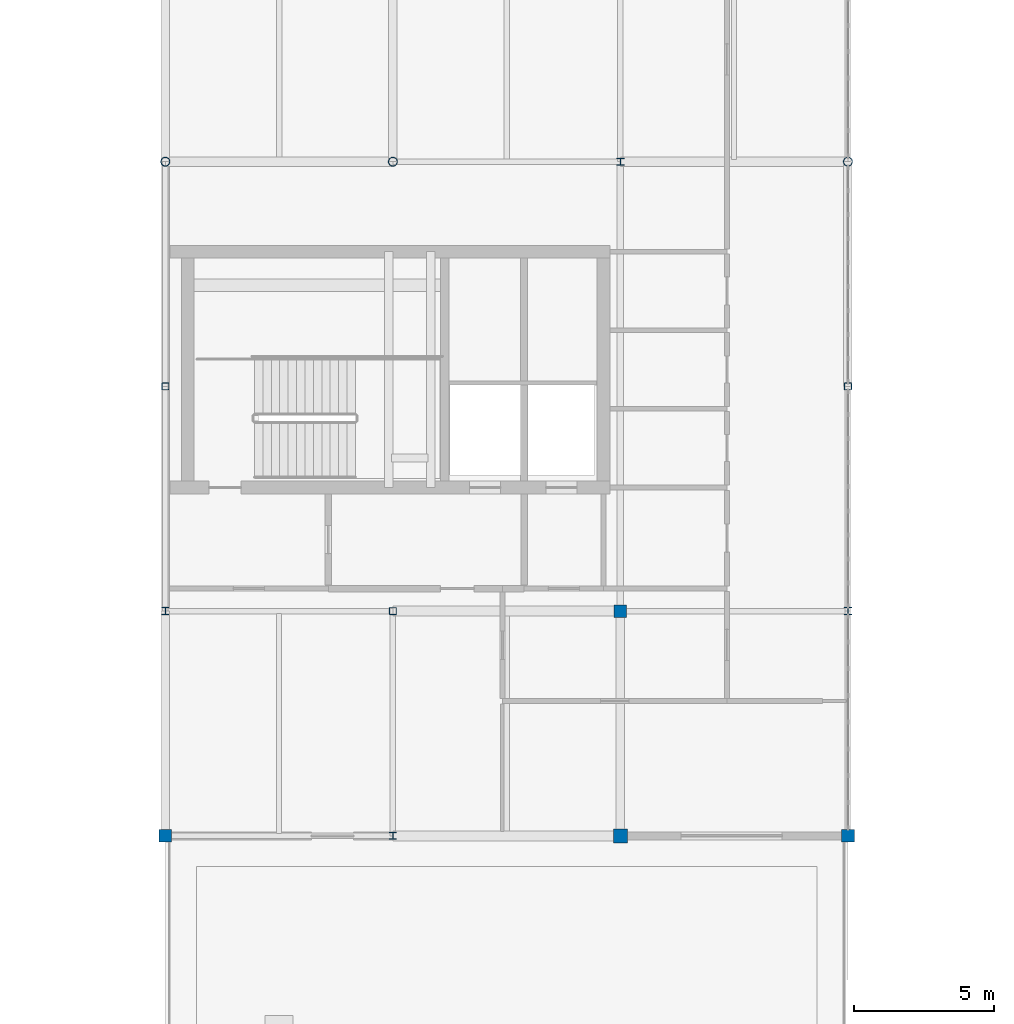
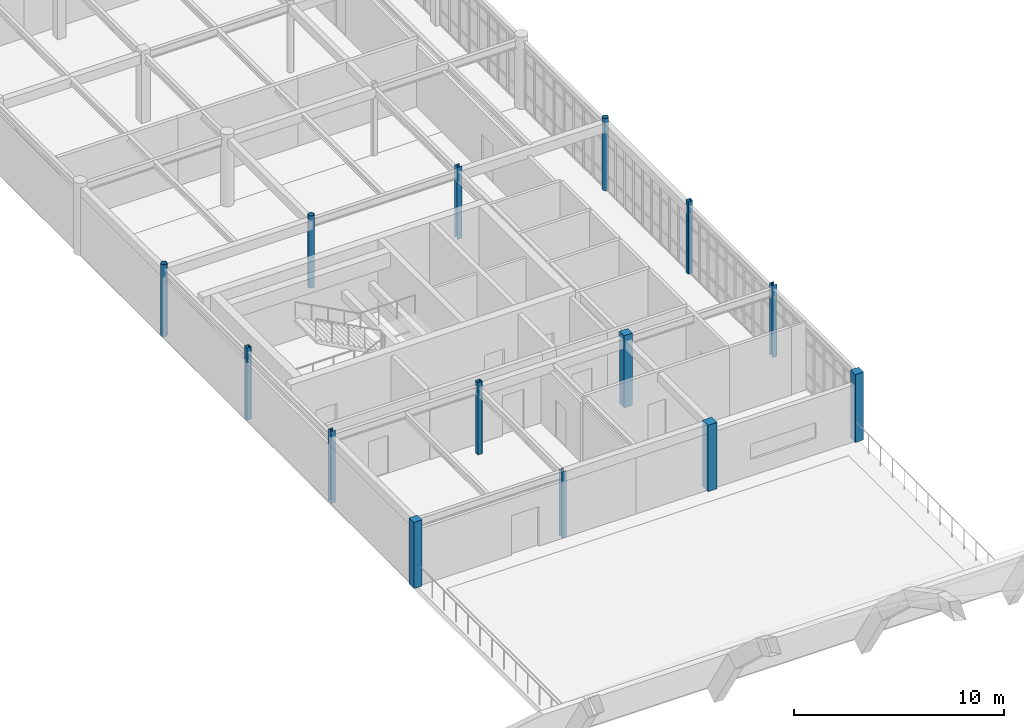
# One storey, part 1 of 36: 14 columns.
"""IFC4 building model written with IfcOpenShell, lengths in metres."""

from ifc_helpers import new_model, si_unit, direction, frame, origin, origin_2d, place, context, subcontext, project, spatial, rectangle, hollow_rectangle, hollow_circle, i_section, extrude, material, material_profile, profile_set, type_object, element, save


model = new_model("IFC4")

# Units and contexts
model_context = context("Model", 3, precision=1e-05, world=origin(), true_north=direction((0.0, 1.0)))
body_context = subcontext(model_context, "Body", "Model", "MODEL_VIEW")
ifc_project = project(units=[si_unit("LENGTHUNIT", "METRE"), si_unit("AREAUNIT", "SQUARE_METRE"), si_unit("VOLUMEUNIT", "CUBIC_METRE"), si_unit("PLANEANGLEUNIT", "RADIAN"), si_unit("MASSUNIT", "GRAM", prefix="KILO")], contexts=[model_context])

# Site, building, storey
site_placement = place(None, origin())
site = spatial("IfcSite", under=ifc_project, at=site_placement, CompositionType="ELEMENT")
building_placement = place(site_placement, origin())
building = spatial("IfcBuilding", under=site, at=building_placement, Name="Tarnveldt Square Police Headquarters", CompositionType="ELEMENT")
storey_placement = place(building_placement, frame((0.0, 0.0, 24.89990234375)))
storey = spatial("IfcBuildingStorey", under=building, at=storey_placement, Name="L05", CompositionType="ELEMENT", Elevation=24.89990234375)

# Columns
ifc_material_1 = material(Name="Steel 350W", Category="steel")
ifc_material_profile_1 = material_profile(ifc_material_1, hollow_circle(Radius=0.161865234375, WallThickness=0.0126953125, at=origin_2d()), Name="HSS324x13")
ifc_profile_set_1 = profile_set([ifc_material_profile_1], Name="Steel 350W")
column_type_1 = type_object("IfcColumnType", Name="COL-CHS324x13", PredefinedType="COLUMN", material=ifc_profile_set_1)
for number, where, z_axis, x_axis, name in (
    (1, (16.199951171875, 72.0, 0.0), (0.0, 0.0, 1.0), (1.0, 0.0, 0.0), "L05 Column 022"),
    (2, (24.300048828125, 72.0, 0.0), (0.0, 0.0, 1.0), (1.0, 0.0, 0.0), "L05 Column 034"),
    (3, (40.5, 72.0, 0.0), (0.0, 0.0, 1.0), (1.0, 0.0, 0.0), "L05 Column 064"),
):
    element("IfcColumn", number, at=place(storey_placement, frame(where, z_axis=z_axis, x_axis=x_axis)), inside=storey, type_object=column_type_1, Name=name, PredefinedType="COLUMN", context=body_context, shape_type="SweptSolid", body=[
        extrude(hollow_circle(Radius=0.161865234375, WallThickness=0.0126953125, at=origin_2d()), origin(), (0.0, 0.0, 1.0), 4.2001953125),
    ])
ifc_material_profile_2 = material_profile(ifc_material_1, hollow_rectangle(XDim=0.25390625, YDim=0.25390625, WallThickness=0.0126953125, InnerFilletRadius=0.0126953125, OuterFilletRadius=0.025390625, at=origin_2d()), Name="HSS254x254x13")
ifc_profile_set_2 = profile_set([ifc_material_profile_2], Name="Steel 350W")
column_type_2 = type_object("IfcColumnType", Name="COL-HSS254x13", PredefinedType="COLUMN", material=ifc_profile_set_2)
for number, where, z_axis, x_axis, name in (
    (4, (16.199951171875, 64.0, 0.0), (0.0, 0.0, 1.0), (1.0, 0.0, 0.0), "L05 Column 021"),
    (5, (24.300048828125, 56.0, 0.0), (0.0, 0.0, 1.0), (1.0, 0.0, 0.0), "L05 Column 033"),
    (6, (40.5, 64.0, 0.0), (0.0, 0.0, 1.0), (1.0, 0.0, 0.0), "L05 Column 063"),
):
    element("IfcColumn", number, at=place(storey_placement, frame(where, z_axis=z_axis, x_axis=x_axis)), inside=storey, type_object=column_type_2, Name=name, PredefinedType="COLUMN", context=body_context, shape_type="SweptSolid", body=[
        extrude(hollow_rectangle(XDim=0.25390625, YDim=0.25390625, WallThickness=0.0126953125, InnerFilletRadius=0.0126953125, OuterFilletRadius=0.025390625, at=origin_2d()), origin(), (0.0, 0.0, 1.0), 4.2001953125),
    ])
ifc_material_2 = material(Name="Concrete 40 MPa", Category="concrete")
ifc_material_profile_3 = material_profile(ifc_material_2, rectangle(XDim=0.449951171875, YDim=0.449951171875, at=origin_2d()), Name="RC-C450x450")
ifc_profile_set_3 = profile_set([ifc_material_profile_3], Name="Concrete 40 MPa")
column_type_3 = type_object("IfcColumnType", Name="COL-RC450", PredefinedType="COLUMN", material=ifc_profile_set_3)
column_1_placement = place(storey_placement, frame((16.199951171875, 48.0, 0.0), z_axis=(0.0, 0.0, 1.0), x_axis=(1.0, 0.0, 0.0)))
element("IfcColumn", 7, at=column_1_placement, inside=storey, type_object=column_type_3, Name="L05 Column 019", PredefinedType="COLUMN", context=body_context, shape_type="SweptSolid", body=[
    extrude(rectangle(XDim=0.449951171875, YDim=0.449951171875, at=origin_2d()), origin(), (0.0, 0.0, 1.0), 3.860107421875),
])
column_2_placement = place(storey_placement, frame((32.39990234375, 56.0, 0.0), z_axis=(0.0, 0.0, 1.0), x_axis=(1.0, 0.0, 0.0)))
element("IfcColumn", 8, at=column_2_placement, inside=storey, type_object=column_type_3, Name="L05 Column 049", PredefinedType="COLUMN", context=body_context, shape_type="SweptSolid", body=[
    extrude(rectangle(XDim=0.449951171875, YDim=0.449951171875, at=origin_2d()), origin(), (0.0, 0.0, 1.0), 4.2001953125),
])
column_3_placement = place(storey_placement, frame((40.5, 48.0, 0.0), z_axis=(0.0, 0.0, 1.0), x_axis=(1.0, 0.0, 0.0)))
element("IfcColumn", 9, at=column_3_placement, inside=storey, type_object=column_type_3, Name="L05 Column 061", PredefinedType="COLUMN", context=body_context, shape_type="SweptSolid", body=[
    extrude(rectangle(XDim=0.449951171875, YDim=0.449951171875, at=origin_2d()), origin(), (0.0, 0.0, 1.0), 3.960205078125),
])
ifc_material_profile_4 = material_profile(ifc_material_2, rectangle(XDim=0.5, YDim=0.5, at=origin_2d()), Name="RC-C500x500")
ifc_profile_set_4 = profile_set([ifc_material_profile_4], Name="Concrete 40 MPa")
column_type_4 = type_object("IfcColumnType", Name="COL-RC500", PredefinedType="COLUMN", material=ifc_profile_set_4)
column_4_placement = place(storey_placement, frame((32.39990234375, 48.0, 0.0), z_axis=(0.0, 0.0, 1.0), x_axis=(1.0, 0.0, 0.0)))
element("IfcColumn", 10, at=column_4_placement, inside=storey, type_object=column_type_4, Name="L05 Column 048", PredefinedType="COLUMN", context=body_context, shape_type="SweptSolid", body=[
    extrude(rectangle(XDim=0.5, YDim=0.5, at=origin_2d()), origin(), (0.0, 0.0, 1.0), 3.860107421875),
])
ifc_material_profile_5 = material_profile(ifc_material_1, i_section(OverallWidth=0.256103515625, OverallDepth=0.260009765625, WebThickness=0.0107421875, FlangeThickness=0.017333984375, FilletRadius=0.012939453125, at=origin_2d()), Name="W250x89")
ifc_profile_set_5 = profile_set([ifc_material_profile_5], Name="Steel 350W")
column_type_5 = type_object("IfcColumnType", Name="COL-W250x89", PredefinedType="COLUMN", material=ifc_profile_set_5)
column_5_placement = place(storey_placement, frame((16.199951171875, 56.0, 0.0), z_axis=(0.0, 0.0, 1.0), x_axis=(1.0, 0.0, 0.0)))
element("IfcColumn", 11, at=column_5_placement, inside=storey, type_object=column_type_5, Name="L05 Column 020", PredefinedType="COLUMN", context=body_context, shape_type="SweptSolid", body=[
    extrude(i_section(OverallWidth=0.256103515625, OverallDepth=0.260009765625, WebThickness=0.0107421875, FlangeThickness=0.017333984375, FilletRadius=0.012939453125, at=origin_2d()), origin(), (0.0, 0.0, 1.0), 4.2001953125),
])
column_6_placement = place(storey_placement, frame((24.300048828125, 48.0, 0.0), z_axis=(0.0, 0.0, 1.0), x_axis=(1.0, 0.0, 0.0)))
element("IfcColumn", 12, at=column_6_placement, inside=storey, type_object=column_type_5, Name="L05 Column 032", PredefinedType="COLUMN", context=body_context, shape_type="SweptSolid", body=[
    extrude(i_section(OverallWidth=0.256103515625, OverallDepth=0.260009765625, WebThickness=0.0107421875, FlangeThickness=0.017333984375, FilletRadius=0.012939453125, at=origin_2d()), origin(), (0.0, 0.0, 1.0), 3.860107421875),
])
for number, where, z_axis, x_axis, name in (
    (13, (32.39990234375, 72.0, 0.0), (0.0, 0.0, 1.0), (1.0, 0.0, 0.0), "L05 Column 050"),
    (14, (40.5, 56.0, 0.0), (0.0, 0.0, 1.0), (1.0, 0.0, 0.0), "L05 Column 062"),
):
    element("IfcColumn", number, at=place(storey_placement, frame(where, z_axis=z_axis, x_axis=x_axis)), inside=storey, type_object=column_type_5, Name=name, PredefinedType="COLUMN", context=body_context, shape_type="SweptSolid", body=[
        extrude(i_section(OverallWidth=0.256103515625, OverallDepth=0.260009765625, WebThickness=0.0107421875, FlangeThickness=0.017333984375, FilletRadius=0.012939453125, at=origin_2d()), origin(), (0.0, 0.0, 1.0), 4.2001953125),
    ])

save(model, "model.ifc")
